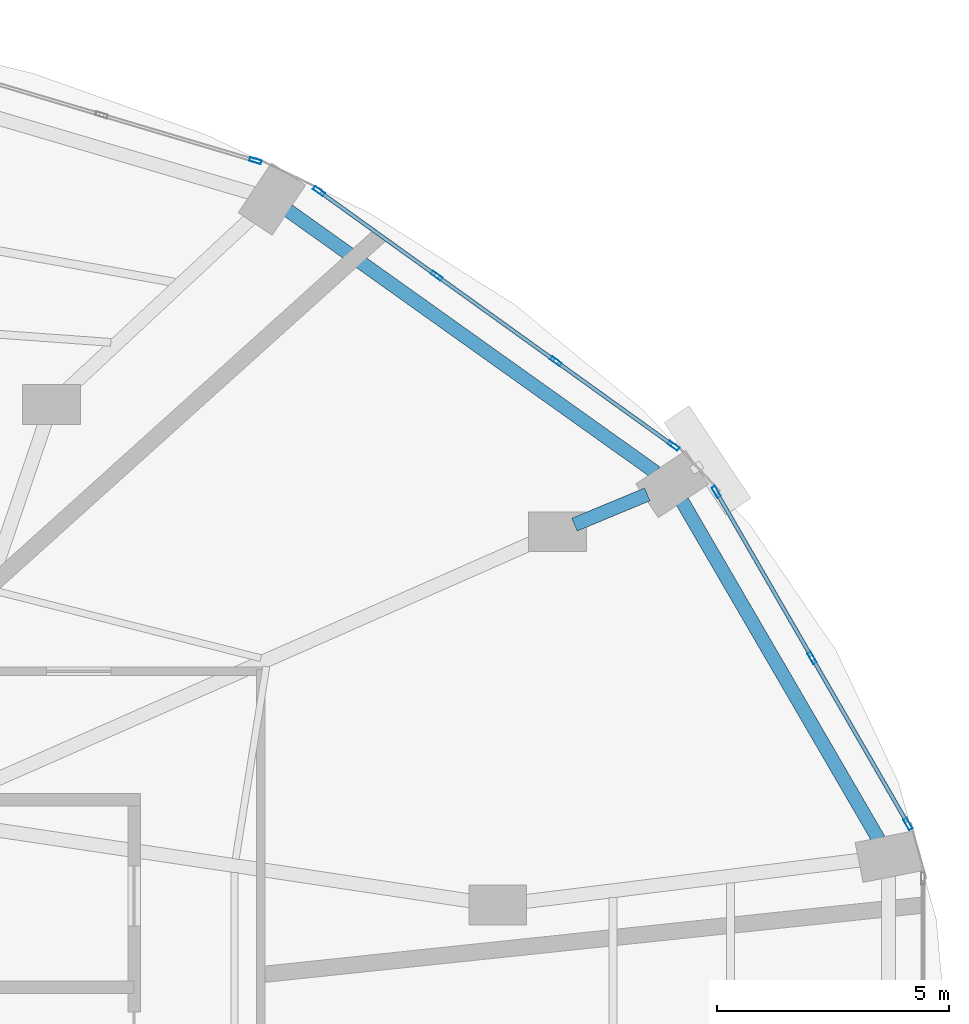
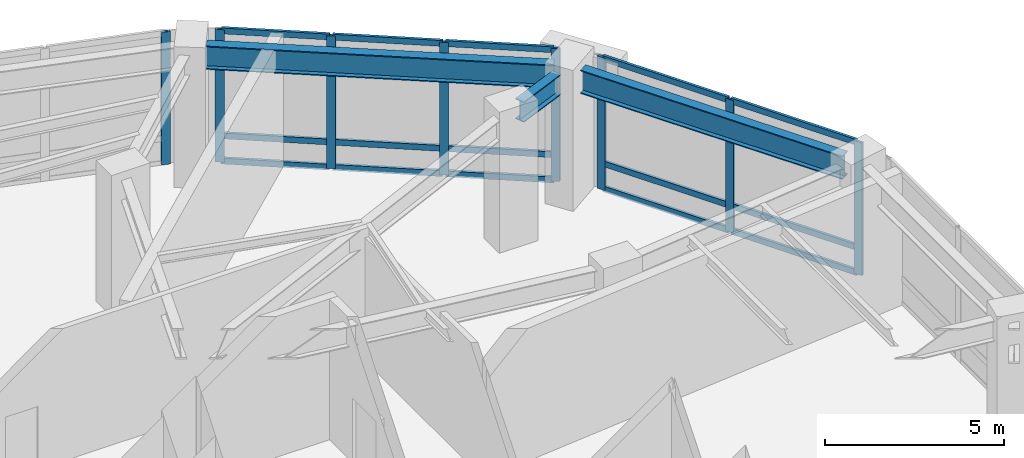
# One storey, part 17 of 24: 23 members, 3 beams, 3 elements without a shape of their own.
"""IFC4 building model written with IfcOpenShell, lengths in metres."""

from ifc_helpers import new_model, si_unit, direction, frame, origin, origin_2d, place, context, subcontext, project, spatial, hollow_rectangle, i_section, extrude, material, layer, layer_set, material_profile, profile_set, type_object, element, aggregate, save


model = new_model("IFC4")

# Units and contexts
model_context = context("Model", 3, precision=1e-05, world=origin(), true_north=direction((0.0, 1.0)))
body_context = subcontext(model_context, "Body", "Model", "MODEL_VIEW")
ifc_project = project(units=[si_unit("LENGTHUNIT", "METRE"), si_unit("AREAUNIT", "SQUARE_METRE"), si_unit("VOLUMEUNIT", "CUBIC_METRE"), si_unit("PLANEANGLEUNIT", "RADIAN"), si_unit("MASSUNIT", "GRAM", prefix="KILO")], contexts=[model_context])

# Site, building, storey
site_placement = place(None, origin())
site = spatial("IfcSite", under=ifc_project, at=site_placement, CompositionType="ELEMENT")
building_placement = place(site_placement, origin())
building = spatial("IfcBuilding", under=site, at=building_placement, Name="Lazwardi Medical Tower", CompositionType="ELEMENT")
storey_placement = place(building_placement, frame((0.0, 0.0, 6.0)))
storey = spatial("IfcBuildingStorey", under=building, at=storey_placement, Name="L01", CompositionType="ELEMENT", Elevation=6.0)

# Beams
ifc_material_1 = material(Name="Steel S355", Category="steel")
ifc_material_profile_1 = material_profile(ifc_material_1, i_section(OverallWidth=0.300048828125, OverallDepth=0.800048828125, WebThickness=0.017578125, FlangeThickness=0.032958984375, at=origin_2d()), Name="HEB 800")
ifc_profile_set_1 = profile_set([ifc_material_profile_1], Name="Steel S355")
beam_type_1 = type_object("IfcBeamType", Name="BM-RB-P1", PredefinedType="BEAM", material=ifc_profile_set_1)
beam_1_placement = place(storey_placement, frame((66.482421875, 35.122314453125, 4.1201171875), z_axis=(-0.502605874383, 0.864515665003, 0.0), x_axis=(-0.864515665003, -0.502605874383, 0.0)))
element("IfcBeam", 1, at=beam_1_placement, inside=storey, type_object=beam_type_1, Name="Ring beam RB-01 B05 L01", PredefinedType="BEAM", context=body_context, shape_type="SweptSolid", body=[
    extrude(i_section(OverallWidth=0.300048828125, OverallDepth=0.800048828125, WebThickness=0.017578125, FlangeThickness=0.032958984375, at=origin_2d()), origin(), (0.0, 0.0, 1.0), 8.4384765625),
])
beam_2_placement = place(storey_placement, frame((61.6748046875, 43.038818359375, 4.1201171875), z_axis=(-0.814437186887, 0.580251728663, 0.0), x_axis=(-0.580251728663, -0.814437186887, 0.0)))
element("IfcBeam", 2, at=beam_2_placement, inside=storey, type_object=beam_type_1, Name="Ring beam RB-01 B06 L01", PredefinedType="BEAM", context=body_context, shape_type="SweptSolid", body=[
    extrude(i_section(OverallWidth=0.300048828125, OverallDepth=0.800048828125, WebThickness=0.017578125, FlangeThickness=0.032958984375, at=origin_2d()), origin(), (0.0, 0.0, 1.0), 9.743408203125),
])
ifc_material_profile_2 = material_profile(ifc_material_1, i_section(OverallWidth=0.300048828125, OverallDepth=0.699951171875, WebThickness=0.01708984375, FlangeThickness=0.031982421875, at=origin_2d()), Name="HEB 700")
ifc_profile_set_2 = profile_set([ifc_material_profile_2], Name="Steel S355")
beam_type_2 = type_object("IfcBeamType", Name="BM-RG-P1", PredefinedType="BEAM", material=ifc_profile_set_2)
beam_3_placement = place(storey_placement, frame((61.489501953125, 42.56640625, 4.169921875), z_axis=(-0.923382441077, -0.383881319565, 0.0), x_axis=(0.383881319565, -0.923382441077, 0.0)))
element("IfcBeam", 3, at=beam_3_placement, inside=storey, type_object=beam_type_2, Name="Radial girder RG-01 R06A L01", PredefinedType="BEAM", context=body_context, shape_type="SweptSolid", body=[
    extrude(i_section(OverallWidth=0.300048828125, OverallDepth=0.699951171875, WebThickness=0.01708984375, FlangeThickness=0.031982421875, at=origin_2d()), origin(), (0.0, 0.0, 1.0), 1.70068359375),
])

# Curtain wall, members
ifc_material_2 = material(Name="Anodised bronze aluminium and solar control glazing", Category="aluminium")
ifc_layer = layer(ifc_material_2, 0.219970703125)
ifc_layer_set = layer_set([ifc_layer], Name="Anodised bronze aluminium and solar control glazing")
curtain_wall_type = type_object("IfcCurtainWallType", Name="CW-SYS-01", PredefinedType="NOTDEFINED", material=ifc_layer_set)
curtain_wall_1_placement = place(storey_placement, origin())
curtain_wall_1 = element("IfcCurtainWall", 4, at=curtain_wall_1_placement, inside=storey, type_object=curtain_wall_type, Name="L01 Unitised bronze curtain wall CW-01", PredefinedType="NOTDEFINED")
ifc_material_3 = material(Name="Anodised bronze aluminium", Category="aluminium")
ifc_material_profile_3 = material_profile(ifc_material_3, hollow_rectangle(XDim=0.0849609375, YDim=0.260009765625, WallThickness=0.0048828125, at=origin_2d()), Name="ALU-MULLION 260x85x5")
ifc_profile_set_3 = profile_set([ifc_material_profile_3], Name="Anodised bronze aluminium")
member_type_1 = type_object("IfcMemberType", Name="CW-MUL-02", PredefinedType="MULLION", material=ifc_profile_set_3)
member_1_placement = place(storey_placement, frame((67.1142578125, 35.4541015625, 0.0), z_axis=(0.0, 0.0, 1.0), x_axis=(-0.866180607783, -0.499731082384, 0.0)))
member_1 = element("IfcMember", 5, at=member_1_placement, type_object=member_type_1, Name="CW-01 mullion 1", PredefinedType="MULLION", context=body_context, shape_type="SweptSolid", body=[
    extrude(hollow_rectangle(XDim=0.0849609375, YDim=0.260009765625, WallThickness=0.0048828125, at=origin_2d()), origin(), (0.0, 0.0, 1.0), 4.52001953125),
])
member_2_placement = place(storey_placement, frame((65.04638671875, 39.0380859375, 0.0), z_axis=(0.0, 0.0, 1.0), x_axis=(-0.866180607783, -0.499731082384, 0.0)))
member_2 = element("IfcMember", 6, at=member_2_placement, type_object=member_type_1, Name="CW-01 mullion 2", PredefinedType="MULLION", context=body_context, shape_type="SweptSolid", body=[
    extrude(hollow_rectangle(XDim=0.0849609375, YDim=0.260009765625, WallThickness=0.0048828125, at=origin_2d()), origin(), (0.0, 0.0, 1.0), 4.52001953125),
])
member_3_placement = place(storey_placement, frame((62.978759765625, 42.6220703125, 0.0), z_axis=(0.0, 0.0, 1.0), x_axis=(-0.866180607783, -0.499731082384, 0.0)))
member_3 = element("IfcMember", 7, at=member_3_placement, type_object=member_type_1, Name="CW-01 mullion 3", PredefinedType="MULLION", context=body_context, shape_type="SweptSolid", body=[
    extrude(hollow_rectangle(XDim=0.0849609375, YDim=0.260009765625, WallThickness=0.0048828125, at=origin_2d()), origin(), (0.0, 0.0, 1.0), 4.52001953125),
])

curtain_wall_2_placement = place(storey_placement, origin())
curtain_wall_2 = element("IfcCurtainWall", 8, at=curtain_wall_2_placement, inside=storey, type_object=curtain_wall_type, Name="L01 Unitised bronze curtain wall CW-01", PredefinedType="NOTDEFINED")
member_4_placement = place(storey_placement, frame((62.056640625, 43.614501953125, 0.0), z_axis=(0.0, 0.0, 1.0), x_axis=(-0.583214260584, -0.812318365083, 0.0)))
member_4 = element("IfcMember", 9, at=member_4_placement, type_object=member_type_1, Name="CW-01 mullion 1", PredefinedType="MULLION", context=body_context, shape_type="SweptSolid", body=[
    extrude(hollow_rectangle(XDim=0.0849609375, YDim=0.260009765625, WallThickness=0.0048828125, at=origin_2d()), origin(), (0.0, 0.0, 1.0), 4.52001953125),
])
member_5_placement = place(storey_placement, frame((59.517822265625, 45.437255859375, 0.0), z_axis=(0.0, 0.0, 1.0), x_axis=(-0.583214260584, -0.812318365083, 0.0)))
member_5 = element("IfcMember", 10, at=member_5_placement, type_object=member_type_1, Name="CW-01 mullion 2", PredefinedType="MULLION", context=body_context, shape_type="SweptSolid", body=[
    extrude(hollow_rectangle(XDim=0.0849609375, YDim=0.260009765625, WallThickness=0.0048828125, at=origin_2d()), origin(), (0.0, 0.0, 1.0), 4.52001953125),
])
member_6_placement = place(storey_placement, frame((56.944580078125, 47.28466796875, 0.0), z_axis=(0.0, 0.0, 1.0), x_axis=(-0.583214260584, -0.812318365083, 0.0)))
member_6 = element("IfcMember", 11, at=member_6_placement, type_object=member_type_1, Name="CW-01 mullion 3", PredefinedType="MULLION", context=body_context, shape_type="SweptSolid", body=[
    extrude(hollow_rectangle(XDim=0.0849609375, YDim=0.260009765625, WallThickness=0.0048828125, at=origin_2d()), origin(), (0.0, 0.0, 1.0), 4.52001953125),
])
member_7_placement = place(storey_placement, frame((54.40576171875, 49.107421875, 0.0), z_axis=(0.0, 0.0, 1.0), x_axis=(-0.583214260584, -0.812318365083, 0.0)))
member_7 = element("IfcMember", 12, at=member_7_placement, type_object=member_type_1, Name="CW-01 mullion 4", PredefinedType="MULLION", context=body_context, shape_type="SweptSolid", body=[
    extrude(hollow_rectangle(XDim=0.0849609375, YDim=0.260009765625, WallThickness=0.0048828125, at=origin_2d()), origin(), (0.0, 0.0, 1.0), 4.52001953125),
])

# Curtain wall, member
curtain_wall_3_placement = place(storey_placement, origin())
curtain_wall_3 = element("IfcCurtainWall", 13, at=curtain_wall_3_placement, inside=storey, type_object=curtain_wall_type, Name="L01 Unitised bronze curtain wall CW-01", PredefinedType="NOTDEFINED")
member_8_placement = place(storey_placement, frame((53.033935546875, 49.766357421875, 0.0), z_axis=(0.0, 0.0, 1.0), x_axis=(-0.285047195531, -0.958513482597, 0.0)))
member_8 = element("IfcMember", 14, at=member_8_placement, type_object=member_type_1, Name="CW-01 mullion 1", PredefinedType="MULLION", context=body_context, shape_type="SweptSolid", body=[
    extrude(hollow_rectangle(XDim=0.0849609375, YDim=0.260009765625, WallThickness=0.0048828125, at=origin_2d()), origin(), (0.0, 0.0, 1.0), 4.52001953125),
])
aggregate(curtain_wall_3, [member_8])

# Member
ifc_material_profile_4 = material_profile(ifc_material_3, hollow_rectangle(XDim=0.0849609375, YDim=0.199951171875, WallThickness=0.00439453125, at=origin_2d()), Name="ALU-TRANSOM 200x85x4.5")
ifc_profile_set_4 = profile_set([ifc_material_profile_4], Name="Anodised bronze aluminium")
member_type_2 = type_object("IfcMemberType", Name="CW-TRN-02", PredefinedType="USERDEFINED", material=ifc_profile_set_4)
member_9_placement = place(storey_placement, frame((67.093017578125, 35.49072265625, 0.04248046875), z_axis=(-0.499741574693, 0.866174554304, 0.0), x_axis=(-0.866174554304, -0.499741574693, 0.0)))
member_9 = element("IfcMember", 15, at=member_9_placement, type_object=member_type_2, Name="CW-01 transom 1.1", ObjectType="TRANSOM", PredefinedType="USERDEFINED", context=body_context, shape_type="SweptSolid", body=[
    extrude(hollow_rectangle(XDim=0.0849609375, YDim=0.199951171875, WallThickness=0.00439453125, at=origin_2d()), origin(), (0.0, 0.0, 1.0), 4.052978515625),
])

member_10_placement = place(storey_placement, frame((67.093017578125, 35.49072265625, 0.89990234375), z_axis=(-0.499741574693, 0.866174554304, 0.0), x_axis=(-0.866174554304, -0.499741574693, 0.0)))
member_10 = element("IfcMember", 16, at=member_10_placement, type_object=member_type_2, Name="CW-01 transom 1.2", ObjectType="TRANSOM", PredefinedType="USERDEFINED", context=body_context, shape_type="SweptSolid", body=[
    extrude(hollow_rectangle(XDim=0.0849609375, YDim=0.199951171875, WallThickness=0.00439453125, at=origin_2d()), origin(), (0.0, 0.0, 1.0), 4.052978515625),
])

member_11_placement = place(storey_placement, frame((67.093017578125, 35.49072265625, 4.4775390625), z_axis=(-0.499741574693, 0.866174554304, 0.0), x_axis=(-0.866174554304, -0.499741574693, 0.0)))
member_11 = element("IfcMember", 17, at=member_11_placement, type_object=member_type_2, Name="CW-01 transom 1.3", ObjectType="TRANSOM", PredefinedType="USERDEFINED", context=body_context, shape_type="SweptSolid", body=[
    extrude(hollow_rectangle(XDim=0.0849609375, YDim=0.199951171875, WallThickness=0.00439453125, at=origin_2d()), origin(), (0.0, 0.0, 1.0), 4.052978515625),
])

member_12_placement = place(storey_placement, frame((65.025146484375, 39.074951171875, 0.04248046875), z_axis=(-0.499767651026, 0.866159508975, 0.0), x_axis=(-0.866159508975, -0.499767651026, 0.0)))
member_12 = element("IfcMember", 18, at=member_12_placement, type_object=member_type_2, Name="CW-01 transom 2.1", ObjectType="TRANSOM", PredefinedType="USERDEFINED", context=body_context, shape_type="SweptSolid", body=[
    extrude(hollow_rectangle(XDim=0.0849609375, YDim=0.199951171875, WallThickness=0.00439453125, at=origin_2d()), origin(), (0.0, 0.0, 1.0), 4.052734375),
])

member_13_placement = place(storey_placement, frame((65.025146484375, 39.074951171875, 0.89990234375), z_axis=(-0.499767651026, 0.866159508975, 0.0), x_axis=(-0.866159508975, -0.499767651026, 0.0)))
member_13 = element("IfcMember", 19, at=member_13_placement, type_object=member_type_2, Name="CW-01 transom 2.2", ObjectType="TRANSOM", PredefinedType="USERDEFINED", context=body_context, shape_type="SweptSolid", body=[
    extrude(hollow_rectangle(XDim=0.0849609375, YDim=0.199951171875, WallThickness=0.00439453125, at=origin_2d()), origin(), (0.0, 0.0, 1.0), 4.052734375),
])

member_14_placement = place(storey_placement, frame((65.025146484375, 39.074951171875, 4.4775390625), z_axis=(-0.499767651026, 0.866159508975, 0.0), x_axis=(-0.866159508975, -0.499767651026, 0.0)))
member_14 = element("IfcMember", 20, at=member_14_placement, type_object=member_type_2, Name="CW-01 transom 2.3", ObjectType="TRANSOM", PredefinedType="USERDEFINED", context=body_context, shape_type="SweptSolid", body=[
    extrude(hollow_rectangle(XDim=0.0849609375, YDim=0.199951171875, WallThickness=0.00439453125, at=origin_2d()), origin(), (0.0, 0.0, 1.0), 4.052734375),
])

aggregate(curtain_wall_1, [member_1, member_2, member_3, member_9, member_10, member_11, member_12, member_13, member_14])

member_15_placement = place(storey_placement, frame((62.02197265625, 43.63916015625, 0.04248046875), z_axis=(-0.812314954496, 0.583219010924, 0.0), x_axis=(-0.583219010924, -0.812314954496, 0.0)))
member_15 = element("IfcMember", 21, at=member_15_placement, type_object=member_type_2, Name="CW-01 transom 1.1", ObjectType="TRANSOM", PredefinedType="USERDEFINED", context=body_context, shape_type="SweptSolid", body=[
    extrude(hollow_rectangle(XDim=0.0849609375, YDim=0.199951171875, WallThickness=0.00439453125, at=origin_2d()), origin(), (0.0, 0.0, 1.0), 3.040283203125),
])

member_16_placement = place(storey_placement, frame((62.02197265625, 43.63916015625, 0.89990234375), z_axis=(-0.812314954496, 0.583219010924, 0.0), x_axis=(-0.583219010924, -0.812314954496, 0.0)))
member_16 = element("IfcMember", 22, at=member_16_placement, type_object=member_type_2, Name="CW-01 transom 1.2", ObjectType="TRANSOM", PredefinedType="USERDEFINED", context=body_context, shape_type="SweptSolid", body=[
    extrude(hollow_rectangle(XDim=0.0849609375, YDim=0.199951171875, WallThickness=0.00439453125, at=origin_2d()), origin(), (0.0, 0.0, 1.0), 3.040283203125),
])

member_17_placement = place(storey_placement, frame((62.02197265625, 43.63916015625, 4.4775390625), z_axis=(-0.812314954496, 0.583219010924, 0.0), x_axis=(-0.583219010924, -0.812314954496, 0.0)))
member_17 = element("IfcMember", 23, at=member_17_placement, type_object=member_type_2, Name="CW-01 transom 1.3", ObjectType="TRANSOM", PredefinedType="USERDEFINED", context=body_context, shape_type="SweptSolid", body=[
    extrude(hollow_rectangle(XDim=0.0849609375, YDim=0.199951171875, WallThickness=0.00439453125, at=origin_2d()), origin(), (0.0, 0.0, 1.0), 3.040283203125),
])

member_18_placement = place(storey_placement, frame((59.4833984375, 45.4619140625, 0.04248046875), z_axis=(-0.81231315212, 0.583221521287, 0.0), x_axis=(-0.583221521287, -0.81231315212, 0.0)))
member_18 = element("IfcMember", 24, at=member_18_placement, type_object=member_type_2, Name="CW-01 transom 2.1", ObjectType="TRANSOM", PredefinedType="USERDEFINED", context=body_context, shape_type="SweptSolid", body=[
    extrude(hollow_rectangle(XDim=0.0849609375, YDim=0.199951171875, WallThickness=0.00439453125, at=origin_2d()), origin(), (0.0, 0.0, 1.0), 3.0830078125),
])

member_19_placement = place(storey_placement, frame((59.4833984375, 45.4619140625, 0.89990234375), z_axis=(-0.81231315212, 0.583221521287, 0.0), x_axis=(-0.583221521287, -0.81231315212, 0.0)))
member_19 = element("IfcMember", 25, at=member_19_placement, type_object=member_type_2, Name="CW-01 transom 2.2", ObjectType="TRANSOM", PredefinedType="USERDEFINED", context=body_context, shape_type="SweptSolid", body=[
    extrude(hollow_rectangle(XDim=0.0849609375, YDim=0.199951171875, WallThickness=0.00439453125, at=origin_2d()), origin(), (0.0, 0.0, 1.0), 3.0830078125),
])

member_20_placement = place(storey_placement, frame((59.4833984375, 45.4619140625, 4.4775390625), z_axis=(-0.81231315212, 0.583221521287, 0.0), x_axis=(-0.583221521287, -0.81231315212, 0.0)))
member_20 = element("IfcMember", 26, at=member_20_placement, type_object=member_type_2, Name="CW-01 transom 2.3", ObjectType="TRANSOM", PredefinedType="USERDEFINED", context=body_context, shape_type="SweptSolid", body=[
    extrude(hollow_rectangle(XDim=0.0849609375, YDim=0.199951171875, WallThickness=0.00439453125, at=origin_2d()), origin(), (0.0, 0.0, 1.0), 3.0830078125),
])

member_21_placement = place(storey_placement, frame((56.909912109375, 47.3095703125, 0.04248046875), z_axis=(-0.812314954496, 0.583219010924, 0.0), x_axis=(-0.583219010924, -0.812314954496, 0.0)))
member_21 = element("IfcMember", 27, at=member_21_placement, type_object=member_type_2, Name="CW-01 transom 3.1", ObjectType="TRANSOM", PredefinedType="USERDEFINED", context=body_context, shape_type="SweptSolid", body=[
    extrude(hollow_rectangle(XDim=0.0849609375, YDim=0.199951171875, WallThickness=0.00439453125, at=origin_2d()), origin(), (0.0, 0.0, 1.0), 3.040283203125),
])

member_22_placement = place(storey_placement, frame((56.909912109375, 47.3095703125, 0.89990234375), z_axis=(-0.812314954496, 0.583219010924, 0.0), x_axis=(-0.583219010924, -0.812314954496, 0.0)))
member_22 = element("IfcMember", 28, at=member_22_placement, type_object=member_type_2, Name="CW-01 transom 3.2", ObjectType="TRANSOM", PredefinedType="USERDEFINED", context=body_context, shape_type="SweptSolid", body=[
    extrude(hollow_rectangle(XDim=0.0849609375, YDim=0.199951171875, WallThickness=0.00439453125, at=origin_2d()), origin(), (0.0, 0.0, 1.0), 3.040283203125),
])

member_23_placement = place(storey_placement, frame((56.909912109375, 47.3095703125, 4.4775390625), z_axis=(-0.812314954496, 0.583219010924, 0.0), x_axis=(-0.583219010924, -0.812314954496, 0.0)))
member_23 = element("IfcMember", 29, at=member_23_placement, type_object=member_type_2, Name="CW-01 transom 3.3", ObjectType="TRANSOM", PredefinedType="USERDEFINED", context=body_context, shape_type="SweptSolid", body=[
    extrude(hollow_rectangle(XDim=0.0849609375, YDim=0.199951171875, WallThickness=0.00439453125, at=origin_2d()), origin(), (0.0, 0.0, 1.0), 3.040283203125),
])

aggregate(curtain_wall_2, [member_4, member_5, member_6, member_7, member_15, member_16, member_17, member_18, member_19, member_20, member_21, member_22, member_23])

save(model, "model.ifc")
